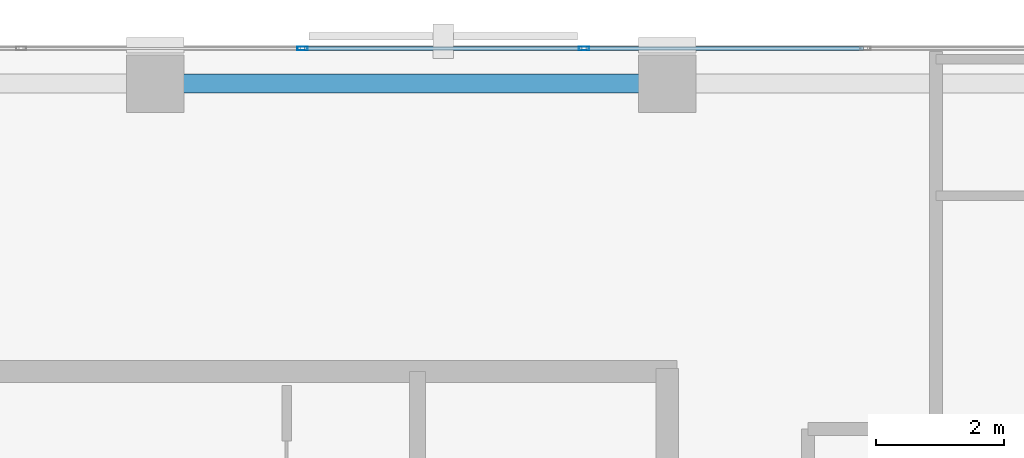
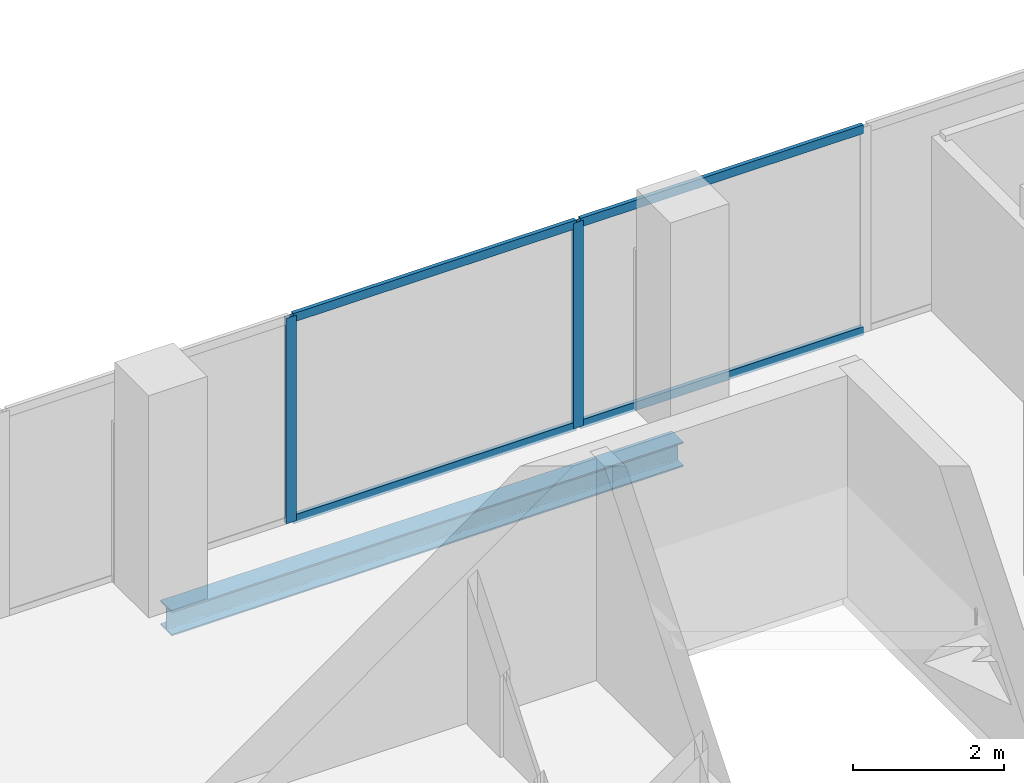
# One storey, part 24 of 35: 6 members, 1 beam, 1 element without a shape of its own.
"""IFC4 building model written with IfcOpenShell, lengths in metres."""

from ifc_helpers import new_model, si_unit, direction, frame, origin, origin_2d, place, context, subcontext, project, spatial, hollow_rectangle, i_section, extrude, material, layer, layer_set, material_profile, profile_set, type_object, element, aggregate, save


model = new_model("IFC4")

# Units and contexts
model_context = context("Model", 3, precision=1e-05, world=origin(), true_north=direction((0.0, 1.0)))
body_context = subcontext(model_context, "Body", "Model", "MODEL_VIEW")
ifc_project = project(units=[si_unit("LENGTHUNIT", "METRE"), si_unit("AREAUNIT", "SQUARE_METRE"), si_unit("VOLUMEUNIT", "CUBIC_METRE"), si_unit("PLANEANGLEUNIT", "RADIAN"), si_unit("MASSUNIT", "GRAM", prefix="KILO")], contexts=[model_context])

# Site, building, storey
site_placement = place(None, origin())
site = spatial("IfcSite", under=ifc_project, at=site_placement, CompositionType="ELEMENT")
building_placement = place(site_placement, origin())
building = spatial("IfcBuilding", under=site, at=building_placement, Name="Catumbela Crestline Tower", CompositionType="ELEMENT")
storey_placement = place(building_placement, frame((0.0, 0.0, 90.0)))
storey = spatial("IfcBuildingStorey", under=building, at=storey_placement, Name="L22", CompositionType="ELEMENT", Elevation=90.0)

# Curtain wall, members
ifc_material_1 = material(Name="Aluminium alloy AW-6060-T66", Category="aluminium")
ifc_layer = layer(ifc_material_1, 0.18, Name="Aluminium alloy AW-6060-T66")
ifc_layer_set = layer_set([ifc_layer], Name="Aluminium alloy AW-6060-T66")
curtain_wall_type = type_object("IfcCurtainWallType", Name="CWU-Z2", PredefinedType="USERDEFINED", material=ifc_layer_set)
curtain_wall_placement = place(storey_placement, origin())
curtain_wall = element("IfcCurtainWall", 1, at=curtain_wall_placement, inside=storey, type_object=curtain_wall_type, Name="L22 Unitised Curtain Wall CW-L22-E7S1", ObjectType="UNITISED", PredefinedType="USERDEFINED")
ifc_material_profile_1 = material_profile(ifc_material_1, hollow_rectangle(XDim=0.06, YDim=0.16, WallThickness=0.004, at=origin_2d()), Name="ALU 160x60x4")
ifc_profile_set_1 = profile_set([ifc_material_profile_1], Name="Aluminium alloy AW-6060-T66")
member_type_1 = type_object("IfcMemberType", Name="MUL-160X60", PredefinedType="MULLION", material=ifc_profile_set_1)
member_1_placement = place(storey_placement, frame((38.7, 47.95, 0.0), z_axis=(0.0, 0.0, 1.0), x_axis=(0.0, -1.0, 0.0)))
member_1 = element("IfcMember", 2, at=member_1_placement, type_object=member_type_1, Name="CWU-Z2 mullion 3", PredefinedType="MULLION", context=body_context, shape_type="SweptSolid", body=[
    extrude(hollow_rectangle(XDim=0.06, YDim=0.16, WallThickness=0.004, at=origin_2d()), origin(), (0.0, 0.0, 1.0), 3.33),
])
member_2_placement = place(storey_placement, frame((34.3, 47.95, 0.0), z_axis=(0.0, 0.0, 1.0), x_axis=(0.0, -1.0, 0.0)))
member_2 = element("IfcMember", 3, at=member_2_placement, type_object=member_type_1, Name="CWU-Z2 mullion 4", PredefinedType="MULLION", context=body_context, shape_type="SweptSolid", body=[
    extrude(hollow_rectangle(XDim=0.06, YDim=0.16, WallThickness=0.004, at=origin_2d()), origin(), (0.0, 0.0, 1.0), 3.33),
])

# Beam
ifc_material_2 = material(Name="Structural steel S355J2", Category="steel")
ifc_material_profile_2 = material_profile(ifc_material_2, i_section(OverallWidth=0.3, OverallDepth=0.4, WebThickness=0.0135, FlangeThickness=0.024, FilletRadius=0.027, at=origin_2d()), Name="HEB 400")
ifc_profile_set_2 = profile_set([ifc_material_profile_2], Name="Structural steel S355J2")
beam_type = type_object("IfcBeamType", Name="BS-HEB400", PredefinedType="SPANDREL", material=ifc_profile_set_2)
beam_placement = place(storey_placement, frame((32.08, 47.4, -0.46), z_axis=(1.0, 0.0, 0.0), x_axis=(0.0, 1.0, 0.0)))
element("IfcBeam", 4, at=beam_placement, inside=storey, type_object=beam_type, Name="L22 Spandrel SP-L22-NF20", PredefinedType="SPANDREL", context=body_context, shape_type="SweptSolid", body=[
    extrude(i_section(OverallWidth=0.3, OverallDepth=0.4, WebThickness=0.0135, FlangeThickness=0.024, FilletRadius=0.027, at=origin_2d()), origin(), (0.0, 0.0, 1.0), 7.84),
])

# Member
ifc_material_profile_3 = material_profile(ifc_material_1, hollow_rectangle(XDim=0.06, YDim=0.14, WallThickness=0.004, at=origin_2d()), Name="ALU 140x60x4")
ifc_profile_set_3 = profile_set([ifc_material_profile_3], Name="Aluminium alloy AW-6060-T66")
member_type_2 = type_object("IfcMemberType", Name="TRN-140X60", PredefinedType="USERDEFINED", material=ifc_profile_set_3)
member_3_placement = place(storey_placement, frame((43.0675, 47.95, 0.03), z_axis=(-1.0, 0.0, 0.0), x_axis=(0.0, -1.0, 0.0)))
member_3 = element("IfcMember", 5, at=member_3_placement, type_object=member_type_2, Name="CWU-Z2 transom 2.1", ObjectType="TRANSOM", PredefinedType="USERDEFINED", context=body_context, shape_type="SweptSolid", body=[
    extrude(hollow_rectangle(XDim=0.06, YDim=0.14, WallThickness=0.004, at=origin_2d()), origin(), (0.0, 0.0, 1.0), 4.335),
])

member_4_placement = place(storey_placement, frame((43.0675, 47.95, 3.3), z_axis=(-1.0, 0.0, 0.0), x_axis=(0.0, -1.0, 0.0)))
member_4 = element("IfcMember", 6, at=member_4_placement, type_object=member_type_2, Name="CWU-Z2 transom 2.2", ObjectType="TRANSOM", PredefinedType="USERDEFINED", context=body_context, shape_type="SweptSolid", body=[
    extrude(hollow_rectangle(XDim=0.06, YDim=0.14, WallThickness=0.004, at=origin_2d()), origin(), (0.0, 0.0, 1.0), 4.335),
])

member_5_placement = place(storey_placement, frame((38.6675, 47.95, 0.03), z_axis=(-1.0, 0.0, 0.0), x_axis=(0.0, -1.0, 0.0)))
member_5 = element("IfcMember", 7, at=member_5_placement, type_object=member_type_2, Name="CWU-Z2 transom 3.1", ObjectType="TRANSOM", PredefinedType="USERDEFINED", context=body_context, shape_type="SweptSolid", body=[
    extrude(hollow_rectangle(XDim=0.06, YDim=0.14, WallThickness=0.004, at=origin_2d()), origin(), (0.0, 0.0, 1.0), 4.335),
])

member_6_placement = place(storey_placement, frame((38.6675, 47.95, 3.3), z_axis=(-1.0, 0.0, 0.0), x_axis=(0.0, -1.0, 0.0)))
member_6 = element("IfcMember", 8, at=member_6_placement, type_object=member_type_2, Name="CWU-Z2 transom 3.2", ObjectType="TRANSOM", PredefinedType="USERDEFINED", context=body_context, shape_type="SweptSolid", body=[
    extrude(hollow_rectangle(XDim=0.06, YDim=0.14, WallThickness=0.004, at=origin_2d()), origin(), (0.0, 0.0, 1.0), 4.335),
])

aggregate(curtain_wall, [member_1, member_2, member_3, member_4, member_5, member_6])

save(model, "model.ifc")
